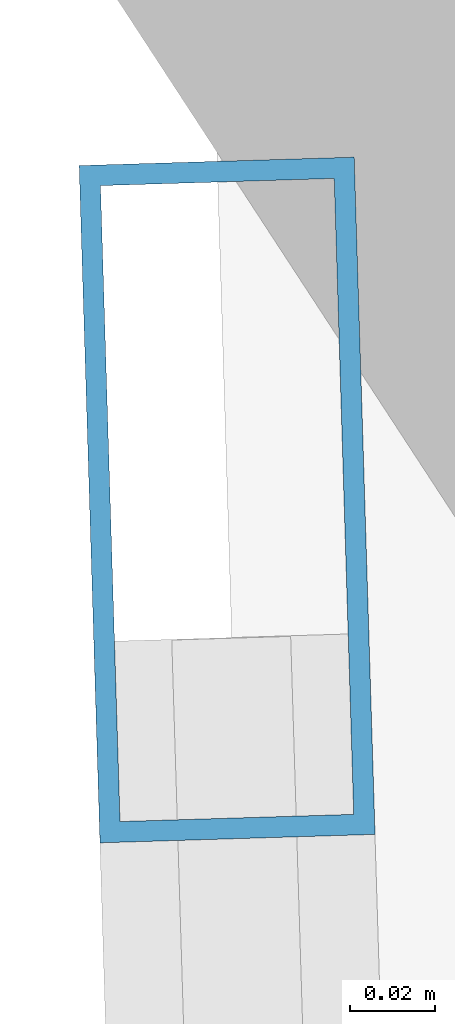
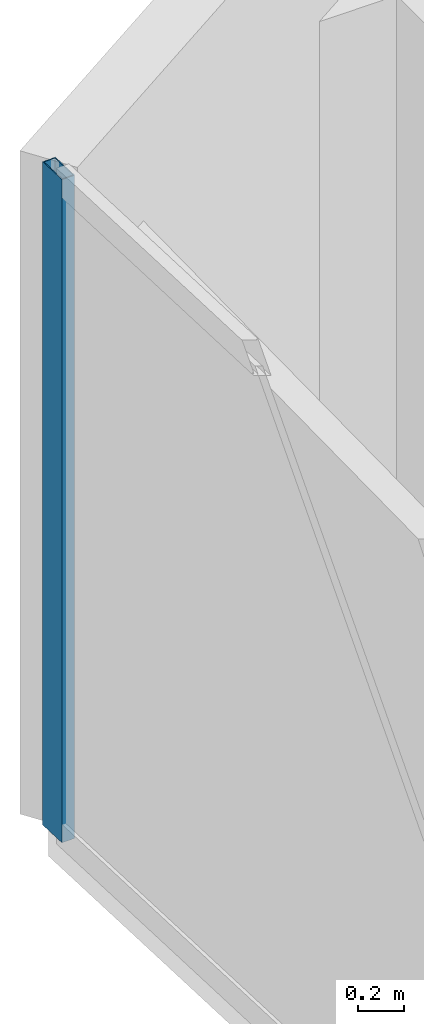
# One storey, part 11 of 22: 1 member, 1 element without a shape of its own.
"""IFC4 building model written with IfcOpenShell, lengths in metres."""

from ifc_helpers import new_model, si_unit, direction, frame, origin, origin_2d, place, context, subcontext, project, spatial, hollow_rectangle, extrude, material, layer, layer_set, material_profile, profile_set, type_object, element, aggregate, save


model = new_model("IFC4")

# Units and contexts
model_context = context("Model", 3, precision=1e-05, world=origin(), true_north=direction((0.0, 1.0)))
body_context = subcontext(model_context, "Body", "Model", "MODEL_VIEW")
ifc_project = project(units=[si_unit("LENGTHUNIT", "METRE"), si_unit("AREAUNIT", "SQUARE_METRE"), si_unit("VOLUMEUNIT", "CUBIC_METRE"), si_unit("PLANEANGLEUNIT", "RADIAN"), si_unit("MASSUNIT", "GRAM", prefix="KILO")], contexts=[model_context])

# Site, building, storey
site_placement = place(None, origin())
site = spatial("IfcSite", under=ifc_project, at=site_placement, CompositionType="ELEMENT")
building_placement = place(site_placement, origin())
building = spatial("IfcBuilding", under=site, at=building_placement, Name="Qianvela Tower", CompositionType="ELEMENT")
storey_placement = place(building_placement, frame((0.0, 0.0, 158.699951171875)))
storey = spatial("IfcBuildingStorey", under=building, at=storey_placement, Name="L40", CompositionType="ELEMENT", Elevation=158.699951171875)

# Curtain wall, member
ifc_material_1 = material(Name="Anodised Architectural Aluminium and Low-E Glass", Category="aluminium")
ifc_layer = layer(ifc_material_1, 0.169921875)
ifc_layer_set = layer_set([ifc_layer], Name="Anodised Architectural Aluminium and Low-E Glass")
curtain_wall_type = type_object("IfcCurtainWallType", Name="CW-COLIV-Z34", PredefinedType="USERDEFINED", material=ifc_layer_set)
curtain_wall_placement = place(storey_placement, origin())
curtain_wall = element("IfcCurtainWall", 1, at=curtain_wall_placement, inside=storey, type_object=curtain_wall_type, Name="L40 CW-COLIV-Z34 Curtain Wall 04A", ObjectType="CURTAIN_WALL_SYSTEM", PredefinedType="USERDEFINED")
ifc_material_2 = material(Name="Anodised Architectural Aluminium 6063-T6", Category="aluminium")
ifc_material_profile = material_profile(ifc_material_2, hollow_rectangle(XDim=0.06494140625, YDim=0.159912109375, WallThickness=0.0048828125, at=origin_2d()), Name="ALU-MULL-65x160")
ifc_profile_set = profile_set([ifc_material_profile], Name="Anodised Architectural Aluminium 6063-T6")
member_type = type_object("IfcMemberType", Name="CW-COLIV-Z34-MULL", PredefinedType="MULLION", material=ifc_profile_set)
member_placement = place(storey_placement, frame((21.29345703125, 37.888916015625, 0.0), z_axis=(0.0, 0.0, 1.0), x_axis=(0.999528062959, 0.030718908808, 0.0)))
member = element("IfcMember", 2, at=member_placement, type_object=member_type, Name="CW-4 mullion 1", PredefinedType="MULLION", context=body_context, shape_type="SweptSolid", body=[
    extrude(hollow_rectangle(XDim=0.06494140625, YDim=0.159912109375, WallThickness=0.0048828125, at=origin_2d()), origin(), (0.0, 0.0, 1.0), 3.52001953125),
])
aggregate(curtain_wall, [member])

save(model, "model.ifc")
